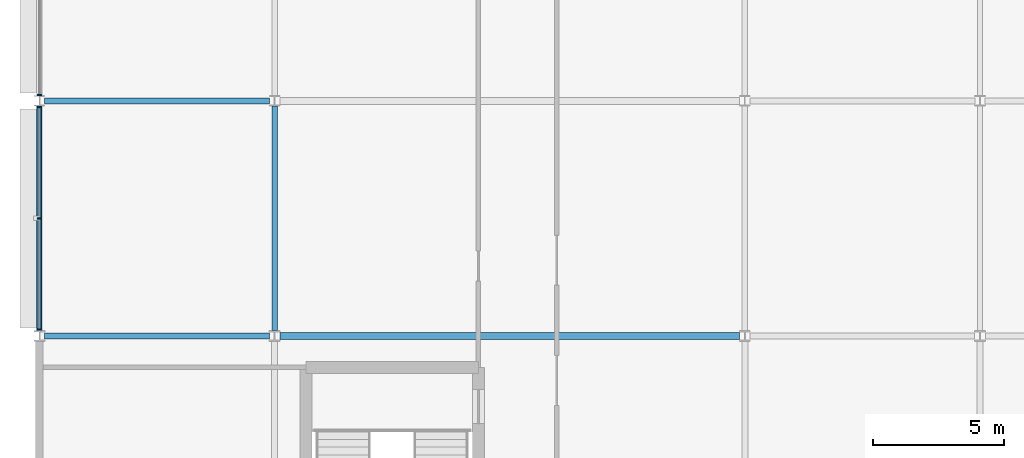
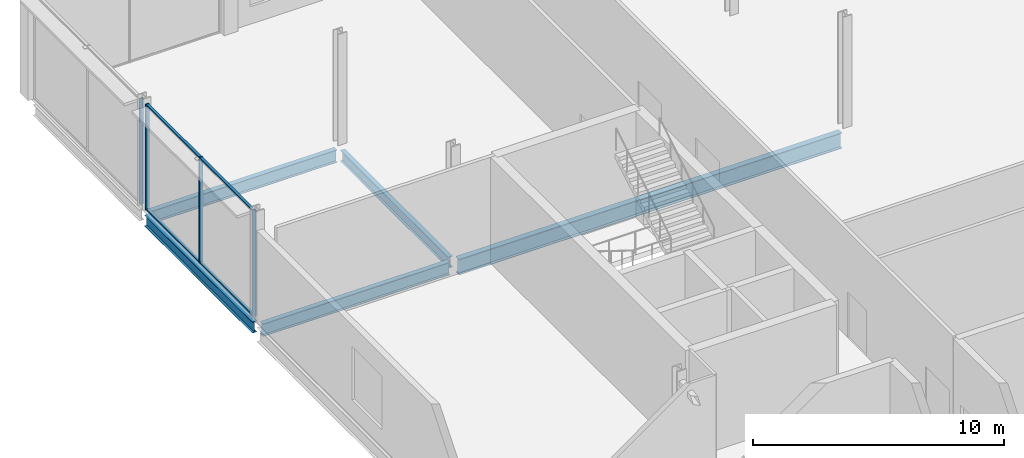
# One storey, part 30 of 113: 8 members, 5 beams, 2 elements without a shape of their own.
"""IFC4 building model written with IfcOpenShell, lengths in metres."""

import ifcopenshell
import ifcopenshell.guid

model = None  # the IFC model being written
_history = None  # IfcOwnerHistory: only IFC2X3 demands one
_inside = {}  # id of a spatial element -> (the spatial element, [elements in it])
_under = {}  # id of a project, library or spatial element -> (it, [spatial elements below it])
_declared = {}  # id of a project -> (the project, [libraries it declares])
_typed = {}  # id of a type object -> (the type object, [elements of that type])
_made_of = {}  # id of a material, layer set ... -> (it, [elements and type objects made of it])


def new_model(schema):
    """Start an empty IFC model of exactly this schema.

    Asked for "IFC4X3", IfcOpenShell would pick the latest addendum, in which some entities
    have other attributes; the version numbers below select the first issue.
    IFC2X3 requires an IfcOwnerHistory on every rooted entity: one is made here for all.
    """
    global model, _history
    if schema == "IFC4X3":
        model = ifcopenshell.file(schema_version=(4, 3, 0, 0))
    else:
        model = ifcopenshell.file(schema=schema)
    _inside.clear()
    _under.clear()
    _declared.clear()
    _typed.clear()
    _made_of.clear()
    _history = None
    if model.schema == "IFC2X3":
        org = make("IfcOrganization", Name="unknown")
        user = make(
            "IfcPersonAndOrganization",
            ThePerson=make("IfcPerson", FamilyName="unknown"),
            TheOrganization=org,
        )
        app = make(
            "IfcApplication",
            ApplicationDeveloper=org,
            Version="unknown",
            ApplicationFullName="unknown",
            ApplicationIdentifier="unknown",
        )
        _history = make(
            "IfcOwnerHistory",
            OwningUser=user,
            OwningApplication=app,
            ChangeAction="ADDED",
            CreationDate=0,
        )
    return model


def make(cls, **values):
    """One entity of the class cls with the attributes given. An attribute that is None is left unset."""
    return model.create_entity(
        cls, **{name: value for name, value in values.items() if value is not None}
    )


def rooted(cls, **values):
    """An entity with a GlobalId (a new one), such as an element, a storey or a relation."""
    return make(cls, GlobalId=ifcopenshell.guid.new(), OwnerHistory=_history, **values)


def si_unit(unit_type, name, prefix=None):
    """IfcSIUnit, for example si_unit("LENGTHUNIT", "METRE", prefix="MILLI")."""
    return make("IfcSIUnit", UnitType=unit_type, Prefix=prefix, Name=name)


def assignment(units):
    """IfcUnitAssignment: the units of a project."""
    return None if units is None else make("IfcUnitAssignment", Units=units)


def point(xyz):
    """IfcCartesianPoint."""
    return None if xyz is None else make("IfcCartesianPoint", Coordinates=xyz)


def direction(xyz):
    """IfcDirection."""
    return None if xyz is None else make("IfcDirection", DirectionRatios=xyz)


def frame(location, z_axis=None, x_axis=None):
    """IfcAxis2Placement3D, a coordinate frame: its origin and axes. An axis left out is left unset."""
    return make(
        "IfcAxis2Placement3D",
        Location=point(location),
        Axis=direction(z_axis),
        RefDirection=direction(x_axis),
    )


def frame_2d(location, x_axis=None):
    """IfcAxis2Placement2D, a coordinate frame in the plane: its origin and x axis."""
    return make(
        "IfcAxis2Placement2D", Location=point(location), RefDirection=direction(x_axis)
    )


def origin():
    """The frame at (0, 0, 0) with its axes left unset."""
    return frame((0.0, 0.0, 0.0))


def origin_2d():
    """The frame at (0, 0) in the plane with its x axis left unset."""
    return frame_2d((0.0, 0.0))


def place(relative_to, where):
    """IfcLocalPlacement: puts the frame where relative to a parent placement (None: the world)."""
    return make(
        "IfcLocalPlacement", PlacementRelTo=relative_to, RelativePlacement=where
    )


def context(
    kind, dimensions, precision=None, world=None, true_north=None, identifier=None
):
    """IfcGeometricRepresentationContext, for example the 3D "Model" context."""
    return make(
        "IfcGeometricRepresentationContext",
        ContextIdentifier=identifier,
        ContextType=kind,
        CoordinateSpaceDimension=dimensions,
        Precision=precision,
        WorldCoordinateSystem=world,
        TrueNorth=true_north,
    )


def subcontext(parent, identifier, kind, view, scale=None):
    """IfcGeometricRepresentationSubContext, for example "Body" below "Model"."""
    return make(
        "IfcGeometricRepresentationSubContext",
        ContextIdentifier=identifier,
        ContextType=kind,
        ParentContext=parent,
        TargetScale=scale,
        TargetView=view,
    )


def project(units=None, contexts=None):
    """IfcProject with its units and contexts."""
    return rooted(
        "IfcProject",
        Name="project",
        RepresentationContexts=contexts,
        UnitsInContext=assignment(units),
    )


def spatial(cls, under=None, at=None, **own):
    """A site, building, storey or space (cls), placed at a placement, below another one or the project."""
    s = rooted(cls, ObjectPlacement=at, **own)
    if under is not None:
        _under.setdefault(under.id(), (under, []))[1].append(s)
    return s


def profile(cls, at=None, kind="AREA", **sizes):
    """A parametric profile (cls). Its sizes go by their IFC names, for example OverallWidth=200.0."""
    return make(cls, ProfileType=kind, Position=at, **sizes)


def rectangle(**sizes):
    """IfcRectangleProfileDef."""
    return profile("IfcRectangleProfileDef", **sizes)


def i_section(**sizes):
    """IfcIShapeProfileDef."""
    return profile("IfcIShapeProfileDef", **sizes)


def extrude(swept, where, along, depth):
    """IfcExtrudedAreaSolid: the profile swept, set in the frame where, extruded along a direction by depth."""
    return make(
        "IfcExtrudedAreaSolid",
        SweptArea=swept,
        Position=where,
        ExtrudedDirection=direction(along),
        Depth=depth,
    )


def shape(context_of_items, identifier, shape_type, items):
    """IfcShapeRepresentation: the items that make up one representation, for example the "Body"."""
    return make(
        "IfcShapeRepresentation",
        ContextOfItems=context_of_items,
        RepresentationIdentifier=identifier,
        RepresentationType=shape_type,
        Items=items,
    )


def material(Name=None, Category=None):
    """IfcMaterial."""
    return make("IfcMaterial", Name=Name, Category=Category)


def layer(
    of_material, thickness, ventilated=None, Name=None, Category=None, Priority=None
):
    """IfcMaterialLayer: one layer of a wall or slab, of a material (None: an air gap)."""
    return make(
        "IfcMaterialLayer",
        Material=of_material,
        LayerThickness=thickness,
        IsVentilated=ventilated,
        Name=Name,
        Category=Category,
        Priority=Priority,
    )


def layer_set(layers, Name=None):
    """IfcMaterialLayerSet."""
    return make("IfcMaterialLayerSet", MaterialLayers=layers, LayerSetName=Name)


def material_profile(
    of_material, cross_section, Name=None, Category=None, Priority=None
):
    """IfcMaterialProfile: a cross section and its material."""
    return make(
        "IfcMaterialProfile",
        Name=Name,
        Material=of_material,
        Profile=cross_section,
        Priority=Priority,
        Category=Category,
    )


def profile_set(profiles, Name=None, composite=None):
    """IfcMaterialProfileSet."""
    return make(
        "IfcMaterialProfileSet",
        Name=Name,
        MaterialProfiles=profiles,
        CompositeProfile=composite,
    )


def made_of(thing, what):
    """Note that an element or type object is made of a material, layer set ...; save() writes the relation."""
    if what is not None:
        _made_of.setdefault(what.id(), (what, []))[1].append(thing)
    return thing


def type_object(cls, material=None, **own):
    """A type object (cls), such as IfcWallType, which elements share."""
    return made_of(rooted(cls, **own), material)


def element(
    cls,
    number,
    at=None,
    inside=None,
    cuts=None,
    type_object=None,
    material=None,
    context=None,
    identifier="Body",
    shape_type=None,
    held_by="IfcProductDefinitionShape",
    body=None,
    shapes=None,
    **own,
):
    """One element of the class cls, such as IfcWall. Its Tag is "e" and its number.

    at: its placement. inside: the storey or other place that contains it. cuts: it is an
    opening in that element (IfcRelVoidsElement). A single representation is given by context,
    identifier, shape_type and body (its items); several are given by shapes. held_by: the class
    of the entity that holds the representations. save() writes the other relations.
    """
    e = rooted(cls, Tag="e%d" % number, ObjectPlacement=at, **own)
    if body is not None:
        shapes = [shape(context, identifier, shape_type, body)]
    if shapes is not None:
        e.Representation = make(held_by, Representations=shapes)
    if inside is not None:
        _inside.setdefault(inside.id(), (inside, []))[1].append(e)
    if cuts is not None:
        rooted(
            "IfcRelVoidsElement", RelatingBuildingElement=cuts, RelatedOpeningElement=e
        )
    if type_object is not None:
        _typed.setdefault(type_object.id(), (type_object, []))[1].append(e)
    return made_of(e, material)


def aggregate(whole, parts):
    """IfcRelAggregates: a whole, such as a stair, and the parts it consists of."""
    return rooted("IfcRelAggregates", RelatingObject=whole, RelatedObjects=parts)


def save(model, path):
    """Write the relations noted so far, then the file.

    IfcRelAggregates (storeys below a building ...), IfcRelContainedInSpatialStructure (elements
    in a storey), IfcRelDefinesByType, IfcRelAssociatesMaterial and IfcRelDeclares: one each for
    every whole, place, type object, material and project.
    """
    for whole, parts in _under.values():
        aggregate(whole, parts)
    for where, things in _inside.values():
        rooted(
            "IfcRelContainedInSpatialStructure",
            RelatedElements=things,
            RelatingStructure=where,
        )
    for kind, things in _typed.values():
        rooted("IfcRelDefinesByType", RelatedObjects=things, RelatingType=kind)
    for what, things in _made_of.values():
        rooted("IfcRelAssociatesMaterial", RelatedObjects=things, RelatingMaterial=what)
    for by, libraries in _declared.values():
        rooted("IfcRelDeclares", RelatingContext=by, RelatedDefinitions=libraries)
    model.write(path)


model = new_model("IFC4")

# Units and contexts
model_context = context("Model", 3, precision=1e-05, world=origin(), true_north=direction((0.0, 1.0)))
body_context = subcontext(model_context, "Body", "Model", "MODEL_VIEW")
ifc_project = project(units=[si_unit("LENGTHUNIT", "METRE"), si_unit("AREAUNIT", "SQUARE_METRE"), si_unit("VOLUMEUNIT", "CUBIC_METRE"), si_unit("PLANEANGLEUNIT", "RADIAN"), si_unit("MASSUNIT", "GRAM", prefix="KILO")], contexts=[model_context])

# Site, building, storey
site_placement = place(None, origin())
site = spatial("IfcSite", under=ifc_project, at=site_placement, CompositionType="ELEMENT")
building_placement = place(site_placement, origin())
building = spatial("IfcBuilding", under=site, at=building_placement, Name="Kisiwana Market Hall", CompositionType="ELEMENT")
storey_placement = place(building_placement, frame((0.0, 0.0, 6.0)))
storey = spatial("IfcBuildingStorey", under=building, at=storey_placement, Name="L01", CompositionType="ELEMENT", Elevation=6.0)

# Beams
ifc_material_1 = material(Name="Steel S355", Category="steel")
ifc_material_profile_1 = material_profile(ifc_material_1, i_section(OverallWidth=0.209228515625, OverallDepth=0.533203125, WebThickness=0.010009765625, FlangeThickness=0.015625, at=origin_2d()), Name="UB 533x210x92")
ifc_profile_set_1 = profile_set([ifc_material_profile_1], Name="Steel S355")
beam_type_1 = type_object("IfcBeamType", Name="BM-GIRD-UB533", PredefinedType="BEAM", material=ifc_profile_set_1)
for number, where, z_axis, x_axis, name in (
    (1, (0.0, 102.21337890625, -0.5166015625), (0.0, 1.0, 0.0), (-1.0, 0.0, 0.0), "Floor beam B-0561"),
    (2, (9.0, 102.21337890625, -0.5166015625), (0.0, 1.0, 0.0), (-1.0, 0.0, 0.0), "Primary girder B-0337"),
):
    element("IfcBeam", number, at=place(storey_placement, frame(where, z_axis=z_axis, x_axis=x_axis)), inside=storey, type_object=beam_type_1, Name=name, PredefinedType="BEAM", context=body_context, shape_type="SweptSolid", body=[
        extrude(i_section(OverallWidth=0.209228515625, OverallDepth=0.533203125, WebThickness=0.010009765625, FlangeThickness=0.015625, at=origin_2d()), origin(), (0.0, 0.0, 1.0), 8.58740234375),
    ])
ifc_material_2 = material(Name="Steel S355", Category="steel")
ifc_material_profile_2 = material_profile(ifc_material_2, i_section(OverallWidth=0.22900390625, OverallDepth=0.6123046875, WebThickness=0.011962890625, FlangeThickness=0.01953125, at=origin_2d()), Name="UB 610x229x125")
ifc_profile_set_2 = profile_set([ifc_material_profile_2], Name="Steel S355")
beam_type_2 = type_object("IfcBeamType", Name="BM-GIRD-UB610H", PredefinedType="BEAM", material=ifc_profile_set_2)
beam_1_placement = place(storey_placement, frame((0.201904296875, 102.0, -0.55615234375), z_axis=(1.0, 0.0, 0.0), x_axis=(0.0, 1.0, 0.0)))
element("IfcBeam", 3, at=beam_1_placement, inside=storey, type_object=beam_type_2, Name="Floor beam B-0519", PredefinedType="BEAM", context=body_context, shape_type="SweptSolid", body=[
    extrude(i_section(OverallWidth=0.22900390625, OverallDepth=0.6123046875, WebThickness=0.011962890625, FlangeThickness=0.01953125, at=origin_2d()), origin(), (0.0, 0.0, 1.0), 8.59619140625),
])
beam_2_placement = place(storey_placement, frame((0.197509765625, 111.0, -0.55615234375), z_axis=(1.0, 0.0, 0.0), x_axis=(0.0, 1.0, 0.0)))
element("IfcBeam", 4, at=beam_2_placement, inside=storey, type_object=beam_type_2, Name="Floor beam B-0533", PredefinedType="BEAM", context=body_context, shape_type="SweptSolid", body=[
    extrude(i_section(OverallWidth=0.22900390625, OverallDepth=0.6123046875, WebThickness=0.011962890625, FlangeThickness=0.01953125, at=origin_2d()), origin(), (0.0, 0.0, 1.0), 8.60498046875),
])
ifc_material_3 = material(Name="Steel S355", Category="steel")
ifc_material_profile_3 = material_profile(ifc_material_3, i_section(OverallWidth=0.2666015625, OverallDepth=0.76220703125, WebThickness=0.014404296875, FlangeThickness=0.021484375, at=origin_2d()), Name="UB 762x267x173")
ifc_profile_set_3 = profile_set([ifc_material_profile_3], Name="Steel S355")
beam_type_3 = type_object("IfcBeamType", Name="BM-GIRD-UB762", PredefinedType="BEAM", material=ifc_profile_set_3)
beam_3_placement = place(storey_placement, frame((9.201904296875, 102.0, -0.631103515625), z_axis=(1.0, 0.0, 0.0), x_axis=(0.0, 1.0, 0.0)))
element("IfcBeam", 5, at=beam_3_placement, inside=storey, type_object=beam_type_3, Name="Floor beam B-0520", PredefinedType="BEAM", context=body_context, shape_type="SweptSolid", body=[
    extrude(i_section(OverallWidth=0.2666015625, OverallDepth=0.76220703125, WebThickness=0.014404296875, FlangeThickness=0.021484375, at=origin_2d()), origin(), (0.0, 0.0, 1.0), 17.59619140625),
])

# Curtain wall, members
ifc_material_4 = material(Name="Double-glazed solar-control low-E IGU", Category="glass")
ifc_layer = layer(ifc_material_4, 0.159912109375)
ifc_layer_set = layer_set([ifc_layer], Name="CW-FC-S-7600")
curtain_wall_type = type_object("IfcCurtainWallType", Name="CW-FC-S-7600", PredefinedType="USERDEFINED", material=ifc_layer_set)
curtain_wall_1_placement = place(storey_placement, origin())
curtain_wall_1 = element("IfcCurtainWall", 6, at=curtain_wall_1_placement, inside=storey, type_object=curtain_wall_type, Name="Unitised curtain wall CW-047 (L01)", ObjectType="UNITISED CURTAIN WALL", PredefinedType="USERDEFINED")
ifc_material_5 = material(Name="Aluminium alloy 6063-T6", Category="aluminium")
ifc_material_profile_4 = material_profile(ifc_material_5, rectangle(XDim=0.06005859375, YDim=0.159912109375, at=origin_2d()), Name="ALU MULLION 60x160")
ifc_profile_set_4 = profile_set([ifc_material_profile_4], Name="Aluminium alloy 6063-T6")
member_type_1 = type_object("IfcMemberType", Name="CW-MULL-60x160", PredefinedType="MULLION", material=ifc_profile_set_4)
member_1_placement = place(storey_placement, frame((0.0, 102.24755859375, 0.0), z_axis=(0.0, 0.0, 1.0), x_axis=(0.0, 1.0, 0.0)))
member_1 = element("IfcMember", 7, at=member_1_placement, type_object=member_type_1, Name="CW-047 mullion 1", PredefinedType="MULLION", context=body_context, shape_type="SweptSolid", body=[
    extrude(rectangle(XDim=0.06005859375, YDim=0.159912109375, at=origin_2d()), origin(), (0.0, 0.0, 1.0), 5.14990234375),
])
member_2_placement = place(storey_placement, frame((0.0, 106.507080078125, 0.0), z_axis=(0.0, 0.0, 1.0), x_axis=(0.0, 1.0, 0.0)))
member_2 = element("IfcMember", 8, at=member_2_placement, type_object=member_type_1, Name="CW-047 mullion 2", PredefinedType="MULLION", context=body_context, shape_type="SweptSolid", body=[
    extrude(rectangle(XDim=0.06005859375, YDim=0.159912109375, at=origin_2d()), origin(), (0.0, 0.0, 1.0), 5.14990234375),
])
member_3_placement = place(storey_placement, frame((0.0, 110.766845703125, 0.0), z_axis=(0.0, 0.0, 1.0), x_axis=(0.0, 1.0, 0.0)))
member_3 = element("IfcMember", 9, at=member_3_placement, type_object=member_type_1, Name="CW-047 mullion 3", PredefinedType="MULLION", context=body_context, shape_type="SweptSolid", body=[
    extrude(rectangle(XDim=0.06005859375, YDim=0.159912109375, at=origin_2d()), origin(), (0.0, 0.0, 1.0), 5.14990234375),
])

# Curtain wall, member
curtain_wall_2_placement = place(storey_placement, origin())
curtain_wall_2 = element("IfcCurtainWall", 10, at=curtain_wall_2_placement, inside=storey, type_object=curtain_wall_type, Name="Unitised curtain wall CW-048 (L01)", ObjectType="UNITISED CURTAIN WALL", PredefinedType="USERDEFINED")
member_4_placement = place(storey_placement, frame((0.0, 111.233154296875, 0.0), z_axis=(0.0, 0.0, 1.0), x_axis=(0.0, 1.0, 0.0)))
member_4 = element("IfcMember", 11, at=member_4_placement, type_object=member_type_1, Name="CW-048 mullion 1", PredefinedType="MULLION", context=body_context, shape_type="SweptSolid", body=[
    extrude(rectangle(XDim=0.06005859375, YDim=0.159912109375, at=origin_2d()), origin(), (0.0, 0.0, 1.0), 5.14990234375),
])
aggregate(curtain_wall_2, [member_4])

# Member
ifc_material_6 = material(Name="Aluminium alloy 6063-T6", Category="aluminium")
ifc_material_profile_5 = material_profile(ifc_material_6, rectangle(XDim=0.1201171875, YDim=0.06005859375, at=origin_2d()), Name="ALU TRANSOM 60x120")
ifc_profile_set_5 = profile_set([ifc_material_profile_5], Name="Aluminium alloy 6063-T6")
member_type_2 = type_object("IfcMemberType", Name="CW-TRAN-60x120", PredefinedType="USERDEFINED", material=ifc_profile_set_5)
member_5_placement = place(storey_placement, frame((0.0, 102.277587890625, 0.030029296875), z_axis=(0.0, 1.0, 0.0), x_axis=(-1.0, 0.0, 0.0)))
member_5 = element("IfcMember", 12, at=member_5_placement, type_object=member_type_2, Name="CW-047 transom 1.1", ObjectType="TRANSOM", PredefinedType="USERDEFINED", context=body_context, shape_type="SweptSolid", body=[
    extrude(rectangle(XDim=0.1201171875, YDim=0.06005859375, at=origin_2d()), origin(), (0.0, 0.0, 1.0), 4.199462890625),
])

member_6_placement = place(storey_placement, frame((0.0, 102.277587890625, 5.1201171875), z_axis=(0.0, 1.0, 0.0), x_axis=(-1.0, 0.0, 0.0)))
member_6 = element("IfcMember", 13, at=member_6_placement, type_object=member_type_2, Name="CW-047 transom 1.2", ObjectType="TRANSOM", PredefinedType="USERDEFINED", context=body_context, shape_type="SweptSolid", body=[
    extrude(rectangle(XDim=0.1201171875, YDim=0.06005859375, at=origin_2d()), origin(), (0.0, 0.0, 1.0), 4.199462890625),
])

member_7_placement = place(storey_placement, frame((0.0, 106.537109375, 0.030029296875), z_axis=(0.0, 1.0, 0.0), x_axis=(-1.0, 0.0, 0.0)))
member_7 = element("IfcMember", 14, at=member_7_placement, type_object=member_type_2, Name="CW-047 transom 2.1", ObjectType="TRANSOM", PredefinedType="USERDEFINED", context=body_context, shape_type="SweptSolid", body=[
    extrude(rectangle(XDim=0.1201171875, YDim=0.06005859375, at=origin_2d()), origin(), (0.0, 0.0, 1.0), 4.19970703125),
])

member_8_placement = place(storey_placement, frame((0.0, 106.537109375, 5.1201171875), z_axis=(0.0, 1.0, 0.0), x_axis=(-1.0, 0.0, 0.0)))
member_8 = element("IfcMember", 15, at=member_8_placement, type_object=member_type_2, Name="CW-047 transom 2.2", ObjectType="TRANSOM", PredefinedType="USERDEFINED", context=body_context, shape_type="SweptSolid", body=[
    extrude(rectangle(XDim=0.1201171875, YDim=0.06005859375, at=origin_2d()), origin(), (0.0, 0.0, 1.0), 4.19970703125),
])

aggregate(curtain_wall_1, [member_1, member_2, member_3, member_5, member_6, member_7, member_8])

save(model, "model.ifc")
